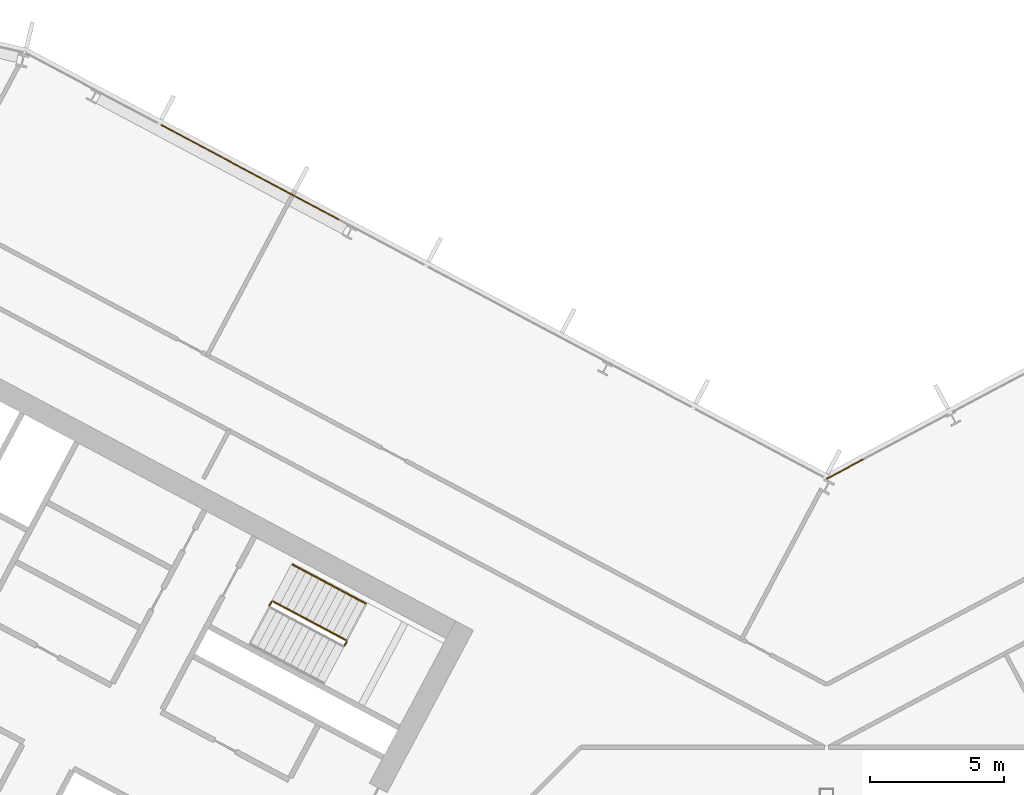
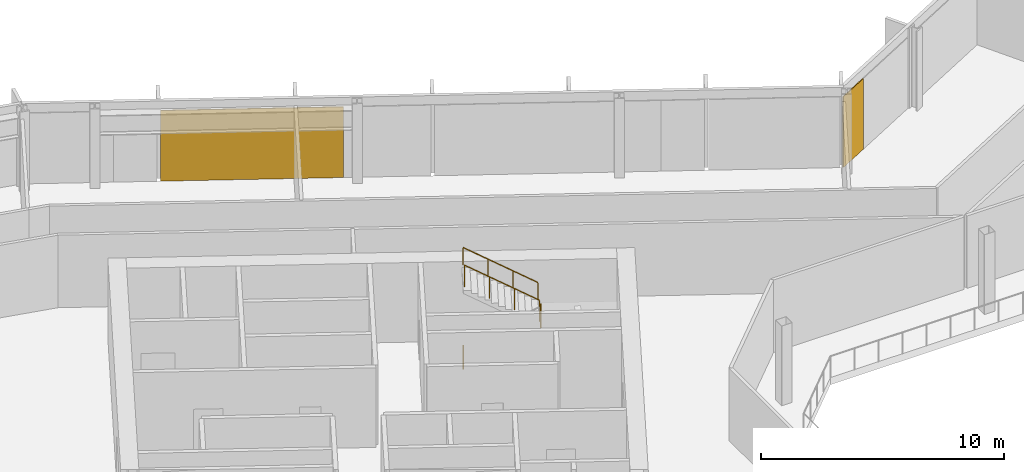
# One storey, part 23 of 28: 4 railings, 2 coverings, 2 elements without a shape of their own.
"""IFC4 building model written with IfcOpenShell, lengths in metres."""

from ifc_helpers import new_model, si_unit, direction, frame, origin, origin_2d, place, context, subcontext, project, spatial, polyline, rectangle, outline, extrude, material, layer, layer_set, type_object, element, aggregate, save


model = new_model("IFC4")

# Units and contexts
model_context = context("Model", 3, precision=1e-05, world=origin(), true_north=direction((0.0, 1.0)))
body_context = subcontext(model_context, "Body", "Model", "MODEL_VIEW")
ifc_project = project(units=[si_unit("LENGTHUNIT", "METRE"), si_unit("AREAUNIT", "SQUARE_METRE"), si_unit("VOLUMEUNIT", "CUBIC_METRE"), si_unit("PLANEANGLEUNIT", "RADIAN"), si_unit("MASSUNIT", "GRAM", prefix="KILO")], contexts=[model_context])

# Site, building, storey
site_placement = place(None, origin())
site = spatial("IfcSite", under=ifc_project, at=site_placement, CompositionType="ELEMENT")
building_placement = place(site_placement, origin())
building = spatial("IfcBuilding", under=site, at=building_placement, Name="Cormorant Relay Tower", CompositionType="ELEMENT")
storey_placement = place(building_placement, frame((0.0, 0.0, 130.199951171875)))
storey = spatial("IfcBuildingStorey", under=building, at=storey_placement, Name="L26", CompositionType="ELEMENT", Elevation=130.199951171875)

# Curtain wall, covering
ifc_material_1 = material(Name="Aluminium 6063-T6 anodised bronze", Category="aluminium")
ifc_layer_1 = layer(ifc_material_1, 0.199951171875)
ifc_layer_set_1 = layer_set([ifc_layer_1], Name="CW1 unitised bronze curtain wall with vertical fins")
curtain_wall_type = type_object("IfcCurtainWallType", Name="CW1 unitised bronze curtain wall with vertical fins", PredefinedType="NOTDEFINED", material=ifc_layer_set_1)
curtain_wall_1_placement = place(storey_placement, origin())
curtain_wall_1 = element("IfcCurtainWall", 1, at=curtain_wall_1_placement, inside=storey, type_object=curtain_wall_type, Name="CW1 curtain wall 8", PredefinedType="NOTDEFINED")
ifc_material_2 = material(Name="Pale bronze anodised aluminium insulated panel", Category="aluminium")
ifc_layer_2 = layer(ifc_material_2, 0.0400390625)
ifc_layer_set_2 = layer_set([ifc_layer_2], Name="CW1 pale bronze insulated panel 40")
covering_type = type_object("IfcCoveringType", Name="CW1 pale bronze insulated panel 40", PredefinedType="CLADDING", material=ifc_layer_set_2)
covering_1_placement = place(storey_placement, frame((0.6767578125, 24.16650390625, 0.0), z_axis=(0.0, 0.0, 1.0), x_axis=(-0.882947592859, -0.469471562786, 0.0)))
covering_1 = element("IfcCovering", 2, at=covering_1_placement, type_object=covering_type, Name="CW1 panel S08", PredefinedType="CLADDING", context=body_context, shape_type="SweptSolid", body=[
    extrude(rectangle(XDim=1.55419921875, YDim=0.0400390625, at=origin_2d()), origin(), (0.0, 0.0, 1.0), 3.550048828125),
])
aggregate(curtain_wall_1, [covering_1])

curtain_wall_2_placement = place(storey_placement, origin())
curtain_wall_2 = element("IfcCurtainWall", 3, at=curtain_wall_2_placement, inside=storey, type_object=curtain_wall_type, Name="CW1 curtain wall 9", PredefinedType="NOTDEFINED")
covering_2_placement = place(storey_placement, frame((-21.49560546875, 35.236083984375, 0.0), z_axis=(0.0, 0.0, 1.0), x_axis=(-0.882947592859, 0.469471562786, 0.0)))
covering_2 = element("IfcCovering", 4, at=covering_2_placement, type_object=covering_type, Name="CW1 panel S04", PredefinedType="CLADDING", context=body_context, shape_type="SweptSolid", body=[
    extrude(rectangle(XDim=7.528076171875, YDim=0.0400390625, at=origin_2d()), origin(), (0.0, 0.0, 1.0), 3.550048828125),
])
aggregate(curtain_wall_2, [covering_2])

# Railings
ifc_material_3 = material(Name="Steel ASTM A572 Grade 50 (Fy 345 MPa)", Category="steel")
railing_type_1 = type_object("IfcRailingType", Name="Stair guard 1100", PredefinedType="GUARDRAIL", material=ifc_material_3)
railing_1_placement = place(storey_placement, frame((-17.96337890625, 17.592529296875, 2.0)))
element("IfcRailing", 5, at=railing_1_placement, inside=storey, type_object=railing_type_1, Name="L26 A1 stair guard 2", PredefinedType="GUARDRAIL", context=body_context, shape_type="SweptSolid", body=[
    extrude(outline(polyline([(0.022216796875, 0.00927734375), (0.00927734375, 0.022216796875), (-0.00927734375, 0.022216796875), (-0.022216796875, 0.00927734375), (-0.022216796875, -0.00927734375), (-0.00927734375, -0.022216796875), (0.00927734375, -0.022216796875), (0.022216796875, -0.00927734375), (0.022216796875, 0.00927734375)])), frame((0.0, 0.0, 1.076171875), z_axis=(0.46856034887, 0.8834314911, 0.0), x_axis=(-0.8834314911, 0.46856034887, 0.0)), (0.0, 0.0, 1.0), 0.150146484375),
    extrude(outline(polyline([(0.019287109375, 0.008056640625), (0.008056640625, 0.019287109375), (-0.008056640625, 0.019287109375), (-0.019287109375, 0.008056640625), (-0.019287109375, -0.008056640625), (-0.008056640625, -0.019287109375), (0.008056640625, -0.019287109375), (0.019287109375, -0.008056640625), (0.019287109375, 0.008056640625)])), origin(), (0.0, 0.0, 1.0), 1.052001953125),
    extrude(outline(polyline([(0.019287109375, 0.008056640625), (0.008056640625, 0.019287109375), (-0.008056640625, 0.019287109375), (-0.019287109375, 0.008056640625), (-0.019287109375, -0.008056640625), (-0.008056640625, -0.019287109375), (0.008056640625, -0.019287109375), (0.019287109375, -0.008056640625), (0.019287109375, 0.008056640625)])), frame((0.0703125, 0.132568359375, 0.0)), (0.0, 0.0, 1.0), 1.052001953125),
])
railing_2_placement = place(storey_placement, frame((-17.913818359375, 17.792724609375, 2.166748046875)))
element("IfcRailing", 6, at=railing_2_placement, inside=storey, type_object=railing_type_1, Name="L26 A1 stair guard 3", PredefinedType="GUARDRAIL", context=body_context, shape_type="SweptSolid", body=[
    extrude(outline(polyline([(0.022216796875, 0.00927734375), (0.00927734375, 0.022216796875), (-0.00927734375, 0.022216796875), (-0.022216796875, 0.00927734375), (-0.022216796875, -0.00927734375), (-0.00927734375, -0.022216796875), (0.00927734375, -0.022216796875), (0.022216796875, -0.00927734375), (0.022216796875, 0.00927734375)])), frame((0.0, 0.0, 1.076171875), z_axis=(-0.758734504837, 0.403377838015, 0.511476559549), x_axis=(-0.469427602063, -0.882970965786, 0.0)), (0.0, 0.0, 1.0), 3.584228515625),
    extrude(outline(polyline([(0.019287109375, 0.008056640625), (0.008056640625, 0.019287109375), (-0.008056640625, 0.019287109375), (-0.019287109375, 0.008056640625), (-0.019287109375, -0.008056640625), (-0.008056640625, -0.019287109375), (0.008056640625, -0.019287109375), (0.019287109375, -0.008056640625), (0.019287109375, 0.008056640625)])), origin(), (0.0, 0.0, 1.0), 1.052001953125),
    extrude(outline(polyline([(0.019287109375, 0.008056640625), (0.008056640625, 0.019287109375), (-0.008056640625, 0.019287109375), (-0.019287109375, 0.008056640625), (-0.019287109375, -0.008056640625), (-0.008056640625, -0.019287109375), (0.008056640625, -0.019287109375), (0.019287109375, -0.008056640625), (0.019287109375, 0.008056640625)])), frame((-0.906494140625, 0.48193359375, 0.611083984375)), (0.0, 0.0, 1.0), 1.052001953125),
    extrude(outline(polyline([(0.019287109375, 0.008056640625), (0.008056640625, 0.019287109375), (-0.008056640625, 0.019287109375), (-0.019287109375, 0.008056640625), (-0.019287109375, -0.008056640625), (-0.008056640625, -0.019287109375), (0.008056640625, -0.019287109375), (0.019287109375, -0.008056640625), (0.019287109375, 0.008056640625)])), frame((-1.81298828125, 0.9638671875, 1.22216796875)), (0.0, 0.0, 1.0), 1.052001953125),
    extrude(outline(polyline([(0.019287109375, 0.008056640625), (0.008056640625, 0.019287109375), (-0.008056640625, 0.019287109375), (-0.019287109375, 0.008056640625), (-0.019287109375, -0.008056640625), (-0.008056640625, -0.019287109375), (0.008056640625, -0.019287109375), (0.019287109375, -0.008056640625), (0.019287109375, 0.008056640625)])), frame((-2.719482421875, 1.44580078125, 1.833251953125)), (0.0, 0.0, 1.0), 1.052001953125),
])
railing_3_placement = place(storey_placement, frame((-20.771240234375, 19.08544921875, 0.0)))
element("IfcRailing", 7, at=railing_3_placement, inside=storey, type_object=railing_type_1, Name="L26 A1 stair guard 4", PredefinedType="GUARDRAIL", context=body_context, shape_type="SweptSolid", body=[
    extrude(outline(polyline([(0.022216796875, 0.00927734375), (0.00927734375, 0.022216796875), (-0.00927734375, 0.022216796875), (-0.022216796875, 0.00927734375), (-0.022216796875, -0.00927734375), (-0.00927734375, -0.022216796875), (0.00927734375, -0.022216796875), (0.022216796875, -0.00927734375), (0.022216796875, 0.00927734375)])), frame((0.0, 0.0, 1.076171875), z_axis=(0.469828648786, 0.882757634224, 0.0), x_axis=(-0.882757634224, 0.469828648786, 0.0)), (0.0, 0.0, 1.0), 0.150146484375),
    extrude(outline(polyline([(0.019287109375, 0.008056640625), (0.008056640625, 0.019287109375), (-0.008056640625, 0.019287109375), (-0.019287109375, 0.008056640625), (-0.019287109375, -0.008056640625), (-0.008056640625, -0.019287109375), (0.008056640625, -0.019287109375), (0.019287109375, -0.008056640625), (0.019287109375, 0.008056640625)])), origin(), (0.0, 0.0, 1.0), 1.052001953125),
    extrude(outline(polyline([(0.019287109375, 0.008056640625), (0.008056640625, 0.019287109375), (-0.008056640625, 0.019287109375), (-0.019287109375, 0.008056640625), (-0.019287109375, -0.008056640625), (-0.008056640625, -0.019287109375), (0.008056640625, -0.019287109375), (0.019287109375, -0.008056640625), (0.019287109375, 0.008056640625)])), frame((0.070556640625, 0.132568359375, 0.0)), (0.0, 0.0, 1.0), 1.052001953125),
])
ifc_material_4 = material(Name="Steel ASTM A572 Grade 50 (Fy 345 MPa)", Category="steel")
railing_type_2 = type_object("IfcRailingType", Name="Stair handrail 900", PredefinedType="HANDRAIL", material=ifc_material_4)
railing_4_placement = place(storey_placement, frame((-17.18603515625, 19.1611328125, 2.166748046875)))
element("IfcRailing", 8, at=railing_4_placement, inside=storey, type_object=railing_type_2, Name="L26 A1 stair handrail 2", PredefinedType="HANDRAIL", context=body_context, shape_type="SweptSolid", body=[
    extrude(outline(polyline([(0.022216796875, 0.00927734375), (0.00927734375, 0.022216796875), (-0.00927734375, 0.022216796875), (-0.022216796875, 0.00927734375), (-0.022216796875, -0.00927734375), (-0.00927734375, -0.022216796875), (0.00927734375, -0.022216796875), (0.022216796875, -0.00927734375), (0.022216796875, 0.00927734375)])), frame((0.0, 0.0, 0.8759765625), z_axis=(-0.758713656843, 0.403434867536, 0.511462505542), x_axis=(-0.469489399267, -0.882938108802, 0.0)), (0.0, 0.0, 1.0), 3.584228515625),
    extrude(outline(polyline([(0.019287109375, 0.008056640625), (0.008056640625, 0.019287109375), (-0.008056640625, 0.019287109375), (-0.019287109375, 0.008056640625), (-0.019287109375, -0.008056640625), (-0.008056640625, -0.019287109375), (0.008056640625, -0.019287109375), (0.019287109375, -0.008056640625), (0.019287109375, 0.008056640625)])), origin(), (0.0, 0.0, 1.0), 0.851806640625),
    extrude(outline(polyline([(0.019287109375, 0.008056640625), (0.008056640625, 0.019287109375), (-0.008056640625, 0.019287109375), (-0.019287109375, 0.008056640625), (-0.019287109375, -0.008056640625), (-0.008056640625, -0.019287109375), (0.008056640625, -0.019287109375), (0.019287109375, -0.008056640625), (0.019287109375, 0.008056640625)])), frame((-0.906494140625, 0.48193359375, 0.611083984375)), (0.0, 0.0, 1.0), 0.851806640625),
    extrude(outline(polyline([(0.019287109375, 0.008056640625), (0.008056640625, 0.019287109375), (-0.008056640625, 0.019287109375), (-0.019287109375, 0.008056640625), (-0.019287109375, -0.008056640625), (-0.008056640625, -0.019287109375), (0.008056640625, -0.019287109375), (0.019287109375, -0.008056640625), (0.019287109375, 0.008056640625)])), frame((-1.81298828125, 0.964111328125, 1.22216796875)), (0.0, 0.0, 1.0), 0.851806640625),
    extrude(outline(polyline([(0.019287109375, 0.008056640625), (0.008056640625, 0.019287109375), (-0.008056640625, 0.019287109375), (-0.019287109375, 0.008056640625), (-0.019287109375, -0.008056640625), (-0.008056640625, -0.019287109375), (0.008056640625, -0.019287109375), (0.019287109375, -0.008056640625), (0.019287109375, 0.008056640625)])), frame((-2.719482421875, 1.446044921875, 1.833251953125)), (0.0, 0.0, 1.0), 0.851806640625),
])

save(model, "model.ifc")
